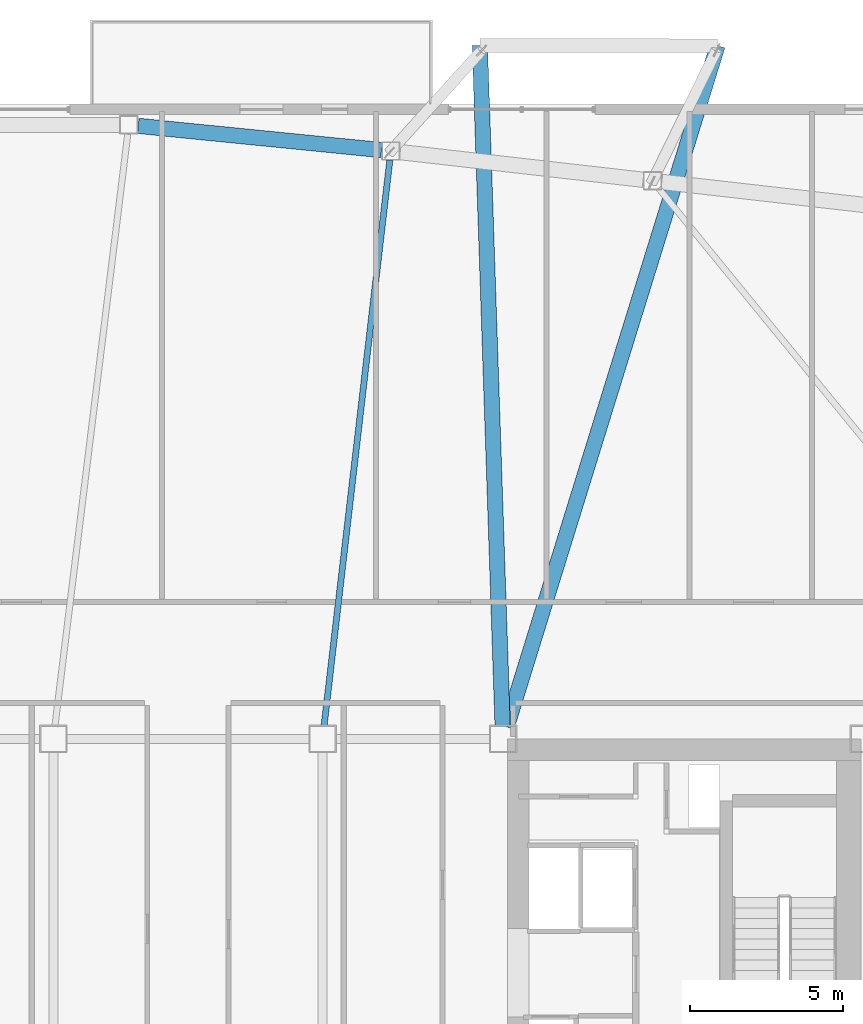
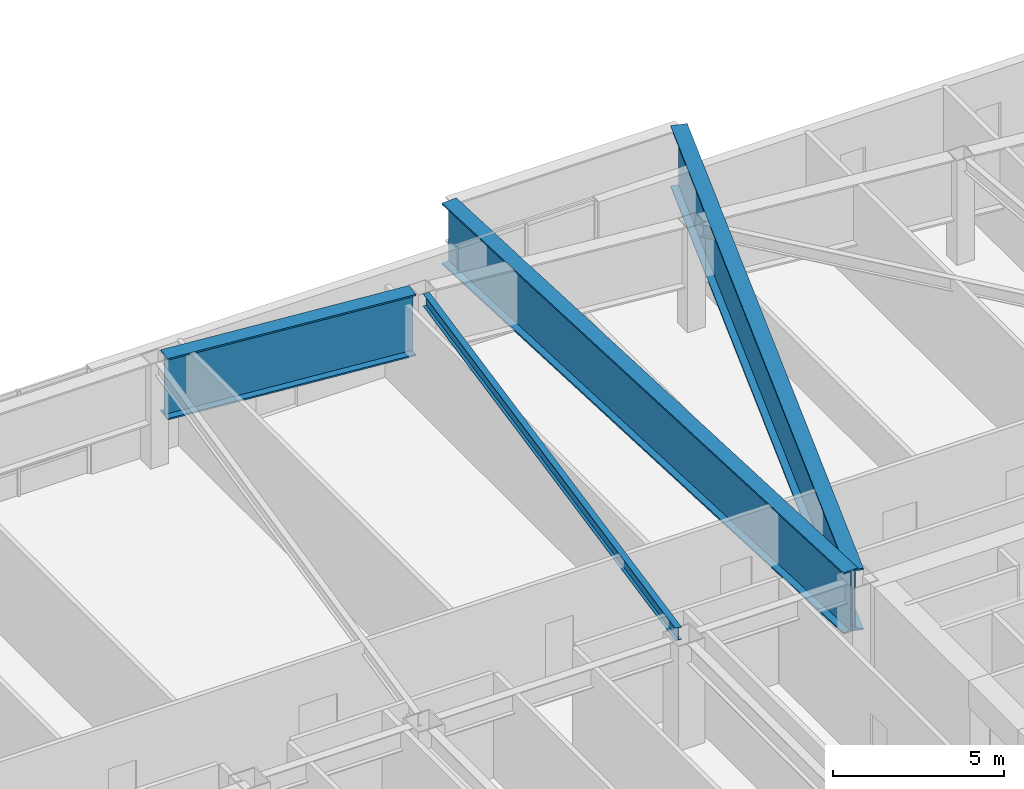
# One storey, part 7 of 19: 4 beams.
"""IFC4 building model written with IfcOpenShell, lengths in metres."""

from ifc_helpers import new_model, si_unit, direction, frame, origin, origin_2d, place, context, subcontext, project, spatial, i_section, extrude, material, material_profile, profile_set, type_object, element, save


model = new_model("IFC4")

# Units and contexts
model_context = context("Model", 3, precision=1e-05, world=origin(), true_north=direction((0.0, 1.0)))
body_context = subcontext(model_context, "Body", "Model", "MODEL_VIEW")
ifc_project = project(units=[si_unit("LENGTHUNIT", "METRE"), si_unit("AREAUNIT", "SQUARE_METRE"), si_unit("VOLUMEUNIT", "CUBIC_METRE"), si_unit("PLANEANGLEUNIT", "RADIAN"), si_unit("MASSUNIT", "GRAM", prefix="KILO")], contexts=[model_context])

# Site, building, storey
site_placement = place(None, origin())
site = spatial("IfcSite", under=ifc_project, at=site_placement, CompositionType="ELEMENT")
building_placement = place(site_placement, origin())
building = spatial("IfcBuilding", under=site, at=building_placement, Name="Tavrogorsk Clinical Tower", CompositionType="ELEMENT")
storey_placement = place(building_placement, frame((0.0, 0.0, 172.199951171875)))
storey = spatial("IfcBuildingStorey", under=building, at=storey_placement, Name="L39", CompositionType="ELEMENT", Elevation=172.199951171875)

# Beams
ifc_material_1 = material(Name="Structural steel S355", Category="steel")
ifc_material_profile_1 = material_profile(ifc_material_1, i_section(OverallWidth=0.199951171875, OverallDepth=0.449951171875, WebThickness=0.011474609375, FlangeThickness=0.01806640625, at=origin_2d()), Name="B-450x200x11.5x18")
ifc_profile_set_1 = profile_set([ifc_material_profile_1], Name="Structural steel S355")
beam_type_1 = type_object("IfcBeamType", Name="FloorBeam_B450", PredefinedType="BEAM", material=ifc_profile_set_1)
beam_1_placement = place(storey_placement, frame((4.447265625, 6.75732421875, 3.51513671875), z_axis=(0.115490633481, 0.993308569166, 0.0), x_axis=(-0.993308569166, 0.115490633481, 0.0)))
element("IfcBeam", 1, at=beam_1_placement, inside=storey, type_object=beam_type_1, Name="L39 Radial Floor Beam N4", PredefinedType="BEAM", context=body_context, shape_type="SweptSolid", body=[
    extrude(i_section(OverallWidth=0.199951171875, OverallDepth=0.449951171875, WebThickness=0.011474609375, FlangeThickness=0.01806640625, at=origin_2d()), origin(), (0.0, 0.0, 1.0), 18.628173828125),
])
ifc_material_2 = material(Name="Structural steel S440", Category="steel")
ifc_material_profile_2 = material_profile(ifc_material_2, i_section(OverallWidth=0.5, OverallDepth=2.199951171875, WebThickness=0.035888671875, FlangeThickness=0.054931640625, at=origin_2d()), Name="DK-2200x500x36x55")
ifc_profile_set_2 = profile_set([ifc_material_profile_2], Name="Structural steel S440")
beam_type_2 = type_object("IfcBeamType", Name="TransferGirder_DK2200", PredefinedType="USERDEFINED", material=ifc_profile_set_2)
beam_2_placement = place(storey_placement, frame((6.32763671875, 25.59716796875, 2.64013671875), z_axis=(-0.995074624158, 0.099128665666, 0.0), x_axis=(-0.099128665666, -0.995074624158, 0.0)))
element("IfcBeam", 2, at=beam_2_placement, inside=storey, type_object=beam_type_2, Name="L39 Perimeter Spandrel N4-N5", ObjectType="GIRDER", PredefinedType="USERDEFINED", context=body_context, shape_type="SweptSolid", body=[
    extrude(i_section(OverallWidth=0.5, OverallDepth=2.199951171875, WebThickness=0.035888671875, FlangeThickness=0.054931640625, at=origin_2d()), origin(), (0.0, 0.0, 1.0), 7.991943359375),
])
beam_3_placement = place(storey_placement, frame((10.286376953125, 6.759765625, 2.64013671875), z_axis=(-0.033388921061, 0.999442434536, 0.0), x_axis=(-0.999442434536, -0.033388921061, 0.0)))
element("IfcBeam", 3, at=beam_3_placement, inside=storey, type_object=beam_type_2, Name="L40 Day-Room Base Transfer Girder DRB-06-L", ObjectType="GIRDER", PredefinedType="USERDEFINED", context=body_context, shape_type="SweptSolid", body=[
    extrude(i_section(OverallWidth=0.5, OverallDepth=2.199951171875, WebThickness=0.035888671875, FlangeThickness=0.054931640625, at=origin_2d()), origin(), (0.0, 0.0, 1.0), 22.2724609375),
])
beam_4_placement = place(storey_placement, frame((10.421142578125, 6.74169921875, 2.64013671875), z_axis=(0.295728784265, 0.955271943562, 0.0), x_axis=(-0.955271943562, 0.295728784265, 0.0)))
element("IfcBeam", 4, at=beam_4_placement, inside=storey, type_object=beam_type_2, Name="L40 Day-Room Base Transfer Girder DRB-06-R", ObjectType="GIRDER", PredefinedType="USERDEFINED", context=body_context, shape_type="SweptSolid", body=[
    extrude(i_section(OverallWidth=0.5, OverallDepth=2.199951171875, WebThickness=0.035888671875, FlangeThickness=0.054931640625, at=origin_2d()), origin(), (0.0, 0.0, 1.0), 23.311279296875),
])

save(model, "model.ifc")
